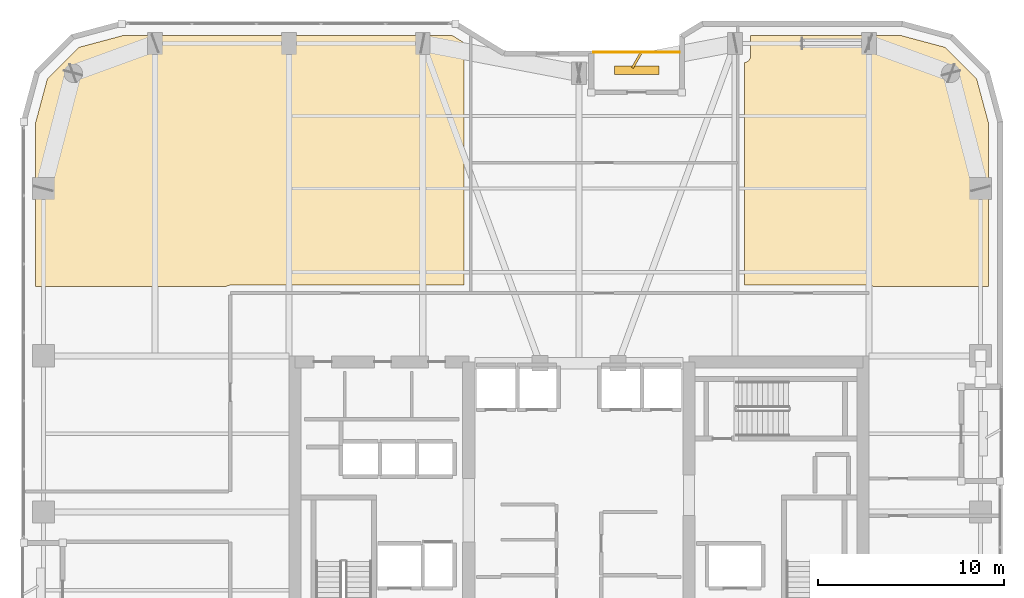
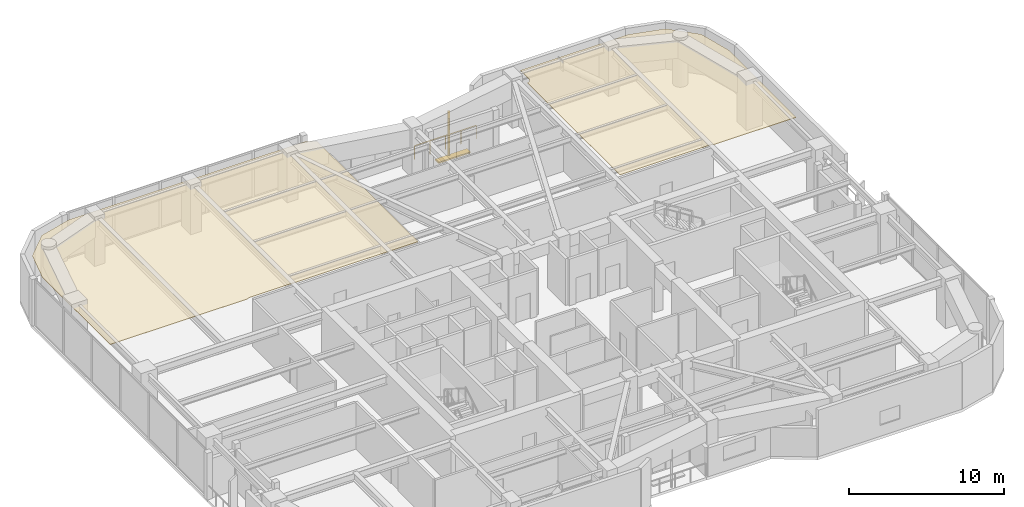
# One storey, part 30 of 30: 2 coverings, 2 shading devices, 1 railing.
"""IFC4 building model written with IfcOpenShell, lengths in metres."""

from ifc_helpers import new_model, si_unit, direction, frame, origin, origin_2d, place, context, subcontext, project, spatial, polyline, rectangle, outline, extrude, material, layer, layer_set, type_object, element, save


model = new_model("IFC4")

# Units and contexts
model_context = context("Model", 3, precision=1e-05, world=origin(), true_north=direction((0.0, 1.0)))
body_context = subcontext(model_context, "Body", "Model", "MODEL_VIEW")
ifc_project = project(units=[si_unit("LENGTHUNIT", "METRE"), si_unit("AREAUNIT", "SQUARE_METRE"), si_unit("VOLUMEUNIT", "CUBIC_METRE"), si_unit("PLANEANGLEUNIT", "RADIAN"), si_unit("MASSUNIT", "GRAM", prefix="KILO")], contexts=[model_context])

# Site, building, storey
site_placement = place(None, origin())
site = spatial("IfcSite", under=ifc_project, at=site_placement, CompositionType="ELEMENT")
building_placement = place(site_placement, origin())
building = spatial("IfcBuilding", under=site, at=building_placement, Name="Kiyonajd Concourse Tower", CompositionType="ELEMENT")
storey_placement = place(building_placement, frame((0.0, 0.0, 190.199951171875)))
storey = spatial("IfcBuildingStorey", under=building, at=storey_placement, Name="L48", CompositionType="ELEMENT", Elevation=190.199951171875)

# Coverings
ifc_material_1 = material(Name="Natural Oak Acoustic Timber Veneer", Category="wood")
ifc_layer = layer(ifc_material_1, 0.0400390625)
ifc_layer_set = layer_set([ifc_layer], Name="Natural Oak Acoustic Timber Veneer")
covering_type = type_object("IfcCoveringType", Name="CV-CLG-ACST", PredefinedType="CEILING", material=ifc_layer_set)
covering_1_placement = place(storey_placement, frame((0.0, 0.0, 3.5)))
element("IfcCovering", 1, at=covering_1_placement, inside=storey, type_object=covering_type, Name="L48-45 Room Acoustic Ceiling", PredefinedType="CEILING", context=body_context, shape_type="SweptSolid", body=[
    extrude(outline(polyline([(21.097900390625, 60.986083984375), (23.5009765625, 61.6298828125), (41.181884765625, 61.6298828125), (41.830078125, 61.23095703125), (41.830078125, 48.199951171875), (29.25, 48.199951171875), (29.1201171875, 48.179931640625), (29.056884765625, 48.154052734375), (29.001953125, 48.1201171875), (18.77001953125, 48.1201171875), (18.77001953125, 56.89892578125), (19.4140625, 59.302001953125), (21.097900390625, 60.986083984375)])), origin(), (0.0, 0.0, 1.0), 0.0400390625),
])
covering_2_placement = place(storey_placement, frame((0.0, 0.0, 3.5)))
element("IfcCovering", 2, at=covering_2_placement, inside=storey, type_object=covering_type, Name="L48-48 Room Acoustic Ceiling", PredefinedType="CEILING", context=body_context, shape_type="SweptSolid", body=[
    extrude(outline(polyline([(57.22998046875, 61.6298828125), (65.299072265625, 61.6298828125), (67.701904296875, 60.986083984375), (69.385986328125, 59.302001953125), (70.030029296875, 56.89892578125), (70.030029296875, 48.1201171875), (63.847900390625, 48.1201171875), (63.79296875, 48.154052734375), (63.72998046875, 48.179931640625), (63.60009765625, 48.199951171875), (56.909912109375, 48.199951171875), (56.909912109375, 60.1708984375), (57.013916015625, 60.197021484375), (57.10205078125, 60.2490234375), (57.15087890625, 60.298095703125), (57.18896484375, 60.35498046875), (57.222900390625, 60.451904296875), (57.22998046875, 60.52001953125), (57.22998046875, 61.6298828125)])), origin(), (0.0, 0.0, 1.0), 0.0400390625),
])

# Railing
ifc_material_2 = material(Name="Thermally Broken Anodised Aluminium", Category="aluminium")
railing_type = type_object("IfcRailingType", Name="RL-GRD-LOG", PredefinedType="GUARDRAIL", material=ifc_material_2)
railing_placement = place(storey_placement, frame((53.39990234375, 60.719970703125, 0.0)))
element("IfcRailing", 3, at=railing_placement, inside=storey, type_object=railing_type, Name="L48 Engawa Loggia Perimeter Guard LOG-N", PredefinedType="GUARDRAIL", context=body_context, shape_type="SweptSolid", body=[
    extrude(rectangle(XDim=0.048095703125, YDim=0.048095703125, at=origin_2d()), frame((0.0, 0.0, 1.076171875), z_axis=(-1.0, 0.0, 0.0), x_axis=(0.0, -1.0, 0.0)), (0.0, 0.0, 1.0), 4.599853515625),
    extrude(rectangle(XDim=0.0419921875, YDim=0.0419921875, at=origin_2d()), origin(), (0.0, 0.0, 1.0), 1.052001953125),
    extrude(rectangle(XDim=0.0419921875, YDim=0.0419921875, at=origin_2d()), frame((-1.14990234375, 0.0, 0.0)), (0.0, 0.0, 1.0), 1.052001953125),
    extrude(rectangle(XDim=0.0419921875, YDim=0.0419921875, at=origin_2d()), frame((-2.2998046875, 0.0, 0.0)), (0.0, 0.0, 1.0), 1.052001953125),
    extrude(rectangle(XDim=0.0419921875, YDim=0.0419921875, at=origin_2d()), frame((-3.449951171875, 0.0, 0.0)), (0.0, 0.0, 1.0), 1.052001953125),
    extrude(rectangle(XDim=0.0419921875, YDim=0.0419921875, at=origin_2d()), frame((-4.599853515625, 0.0, 0.0)), (0.0, 0.0, 1.0), 1.052001953125),
])

# Shading devices
ifc_material_3 = material(Name="Precast concrete C50/60", Category="concrete")
shading_device_type_1 = type_object("IfcShadingDeviceType", Name="SH-FIN-900", PredefinedType="USERDEFINED", material=ifc_material_3)
shading_device_1_placement = place(storey_placement, frame((51.10009765625, 60.27001953125, 0.0), z_axis=(0.0, 0.0, 1.0), x_axis=(0.5, 0.866025403784, 0.0)))
element("IfcShadingDevice", 4, at=shading_device_1_placement, inside=storey, type_object=shading_device_type_1, Name="L48 Angled Koshi Solar Fin LOG-N", ObjectType="FIN", PredefinedType="USERDEFINED", context=body_context, shape_type="SweptSolid", body=[
    extrude(rectangle(XDim=0.89990234375, YDim=0.1201171875, at=origin_2d()), origin(), (0.0, 0.0, 1.0), 3.0),
])
shading_device_type_2 = type_object("IfcShadingDeviceType", Name="SH-LVR-600", PredefinedType="JALOUSIE", material=ifc_material_2)
shading_device_2_placement = place(storey_placement, frame((51.10009765625, 59.75, 0.0), z_axis=(0.0, 0.0, 1.0), x_axis=(1.0, 0.0, 0.0)))
element("IfcShadingDevice", 5, at=shading_device_2_placement, inside=storey, type_object=shading_device_type_2, Name="L48 Loggia Threshold Louver LOG-N", PredefinedType="JALOUSIE", context=body_context, shape_type="SweptSolid", body=[
    extrude(rectangle(XDim=2.39990234375, YDim=0.449951171875, at=origin_2d()), origin(), (0.0, 0.0, 1.0), 0.10009765625),
])

save(model, "model.ifc")
